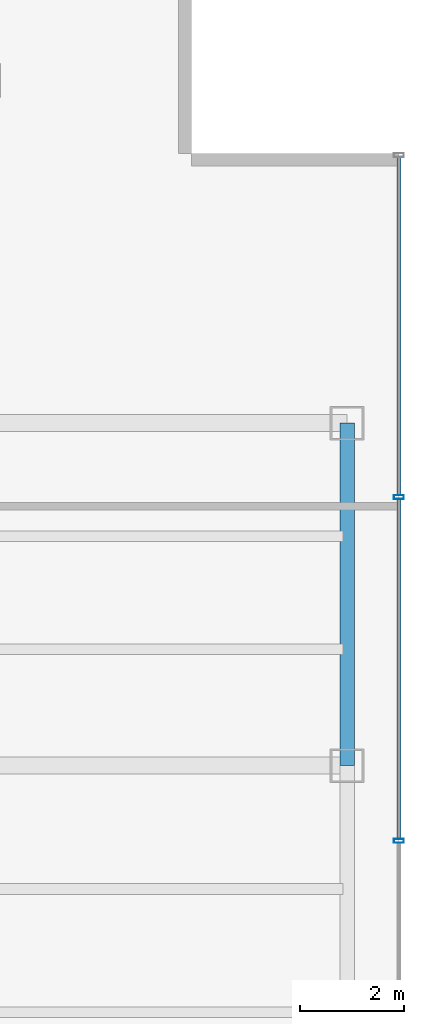
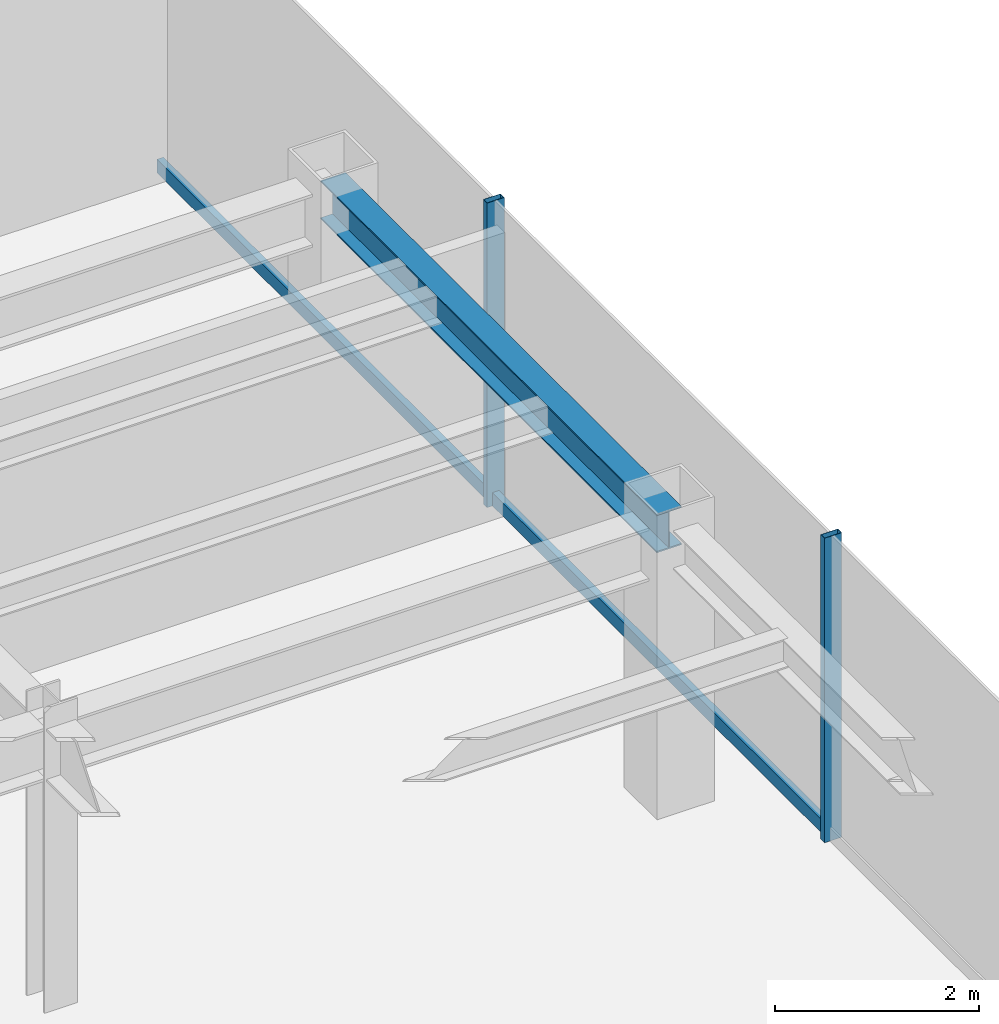
# One storey, part 13 of 25: 4 members, 1 beam, 1 element without a shape of its own.
"""IFC4 building model written with IfcOpenShell, lengths in metres."""

from ifc_helpers import new_model, si_unit, derived_unit, direction, frame, origin, origin_2d, place, context, subcontext, project, spatial, hollow_rectangle, i_section, extrude, source, transform, mapped, material, material_profile, profile_set, type_object, element, aggregate, save


model = new_model("IFC4")

# Units and contexts
model_context = context("Model", 3, precision=1e-05, world=origin(), true_north=direction((0.0, 1.0)))
body_context = subcontext(model_context, "Body", "Model", "MODEL_VIEW")
ifc_project = project(units=[si_unit("LENGTHUNIT", "METRE"), si_unit("AREAUNIT", "SQUARE_METRE"), si_unit("VOLUMEUNIT", "CUBIC_METRE"), si_unit("PLANEANGLEUNIT", "RADIAN"), si_unit("MASSUNIT", "GRAM", prefix="KILO"), derived_unit("THERMALTRANSMITTANCEUNIT", [(si_unit("POWERUNIT", "WATT"), 1), (si_unit("LENGTHUNIT", "METRE"), -2), (si_unit("THERMODYNAMICTEMPERATUREUNIT", "KELVIN"), -1)])], contexts=[model_context])

# Site, building, storey
site_placement = place(None, origin())
site = spatial("IfcSite", under=ifc_project, at=site_placement, CompositionType="ELEMENT")
building_placement = place(site_placement, origin())
building = spatial("IfcBuilding", under=site, at=building_placement, Name="Skarnbrae Concourse Arena and Tower", CompositionType="ELEMENT")
storey_placement = place(building_placement, frame((0.0, 0.0, 166.14990234375)))
storey = spatial("IfcBuildingStorey", under=building, at=storey_placement, Name="L42", CompositionType="ELEMENT", Elevation=166.14990234375)

# Beam
ifc_material_1 = material(Name="Steel CSA G40.21 350W", Category="steel")
ifc_material_profile_1 = material_profile(ifc_material_1, i_section(OverallWidth=0.280029296875, OverallDepth=0.462890625, WebThickness=0.0107421875, FlangeThickness=0.017333984375, at=origin_2d()), Name="W460X113")
ifc_profile_set_1 = profile_set([ifc_material_profile_1], Name="Steel CSA G40.21 350W")
beam_type = type_object("IfcBeamType", Name="BM-SPAN-W460X113", PredefinedType="SPANDREL", material=ifc_profile_set_1)
shared_shape_1 = source(origin(), body_context, "Body", "SweptSolid", [
    extrude(i_section(OverallWidth=0.280029296875, OverallDepth=0.462890625, WebThickness=0.0107421875, FlangeThickness=0.017333984375, at=origin_2d()), origin(), (0.0, 0.0, 1.0), 6.60009765625),
])
beam_placement = place(storey_placement, frame((49.0, 21.199951171875, 3.168701171875), z_axis=(0.0, 1.0, 0.0), x_axis=(-1.0, 0.0, 0.0)))
element("IfcBeam", 1, at=beam_placement, inside=storey, type_object=beam_type, Name="L42 Perimeter spandrel X49.0-3", PredefinedType="SPANDREL", context=body_context, shape_type="MappedRepresentation", body=[
    mapped(shared_shape_1, transform((0.0, 0.0, 0.0))),
])

# Curtain wall, members
ifc_material_2 = material(Name="Bronze anodised aluminium 6063-T6", Category="aluminium")
curtain_wall_type = type_object("IfcCurtainWallType", Name="CW-SYS-04-MIDZONE", PredefinedType="USERDEFINED", material=ifc_material_2)
curtain_wall_placement = place(storey_placement, origin())
curtain_wall = element("IfcCurtainWall", 2, at=curtain_wall_placement, inside=storey, type_object=curtain_wall_type, Name="L42 Unitised curtain wall CW-L42-E04", ObjectType="UNITISED CURTAIN WALL", PredefinedType="USERDEFINED")
ifc_material_profile_2 = material_profile(ifc_material_2, hollow_rectangle(XDim=0.074951171875, YDim=0.195068359375, WallThickness=0.00439453125, at=origin_2d()), Name="ALU-MULL-75X195")
ifc_profile_set_2 = profile_set([ifc_material_profile_2], Name="Bronze anodised aluminium 6063-T6")
member_type_1 = type_object("IfcMemberType", Name="CWM-CW-04", PredefinedType="MULLION", material=ifc_profile_set_2)
shared_shape_2 = source(origin(), body_context, "Body", "SweptSolid", [
    extrude(hollow_rectangle(XDim=0.074951171875, YDim=0.195068359375, WallThickness=0.00439453125, at=origin_2d()), origin(), (0.0, 0.0, 1.0), 3.650146484375),
])
member_1_placement = place(storey_placement, frame((50.0, 19.75, 0.0), z_axis=(0.0, 0.0, 1.0), x_axis=(0.0, 1.0, 0.0)))
member_1 = element("IfcMember", 3, at=member_1_placement, type_object=member_type_1, Name="CW-L42-E04 Mullion 3", PredefinedType="MULLION", context=body_context, shape_type="MappedRepresentation", body=[
    mapped(shared_shape_2, transform((0.0, 0.0, 0.0))),
])
member_2_placement = place(storey_placement, frame((50.0, 26.375, 0.0), z_axis=(0.0, 0.0, 1.0), x_axis=(0.0, 1.0, 0.0)))
member_2 = element("IfcMember", 4, at=member_2_placement, type_object=member_type_1, Name="CW-L42-E04 Mullion 4", PredefinedType="MULLION", context=body_context, shape_type="MappedRepresentation", body=[
    mapped(shared_shape_2, transform((0.0, 0.0, 0.0))),
])
ifc_material_profile_3 = material_profile(ifc_material_2, hollow_rectangle(XDim=0.074951171875, YDim=0.159912109375, WallThickness=0.00439453125, at=origin_2d()), Name="ALU-TRAN-75X160")
ifc_profile_set_3 = profile_set([ifc_material_profile_3], Name="Bronze anodised aluminium 6063-T6")
member_type_2 = type_object("IfcMemberType", Name="CWT-CW-04", PredefinedType="USERDEFINED", material=ifc_profile_set_3)
shared_shape_3 = source(origin(), body_context, "Body", "SweptSolid", [
    extrude(hollow_rectangle(XDim=0.074951171875, YDim=0.159912109375, WallThickness=0.00439453125, at=origin_2d()), origin(), (0.0, 0.0, 1.0), 6.512451171875),
])
member_3_placement = place(storey_placement, frame((50.0, 26.41259765625, 0.080078125), z_axis=(0.0, 1.0, 0.0), x_axis=(-1.0, 0.0, 0.0)))
member_3 = element("IfcMember", 5, at=member_3_placement, type_object=member_type_2, Name="CW-L42-E04 Transom 4", ObjectType="TRANSOM", PredefinedType="USERDEFINED", context=body_context, shape_type="MappedRepresentation", body=[
    mapped(shared_shape_3, transform((0.0, 0.0, 0.0))),
])
shared_shape_4 = source(origin(), body_context, "Body", "SweptSolid", [
    extrude(hollow_rectangle(XDim=0.074951171875, YDim=0.159912109375, WallThickness=0.00439453125, at=origin_2d()), origin(), (0.0, 0.0, 1.0), 6.5498046875),
])
member_4_placement = place(storey_placement, frame((50.0, 19.78759765625, 0.080078125), z_axis=(0.0, 1.0, 0.0), x_axis=(-1.0, 0.0, 0.0)))
member_4 = element("IfcMember", 6, at=member_4_placement, type_object=member_type_2, Name="CW-L42-E04 Transom 3", ObjectType="TRANSOM", PredefinedType="USERDEFINED", context=body_context, shape_type="MappedRepresentation", body=[
    mapped(shared_shape_4, transform((0.0, 0.0, 0.0))),
])
aggregate(curtain_wall, [member_1, member_2, member_4, member_3])

save(model, "model.ifc")
